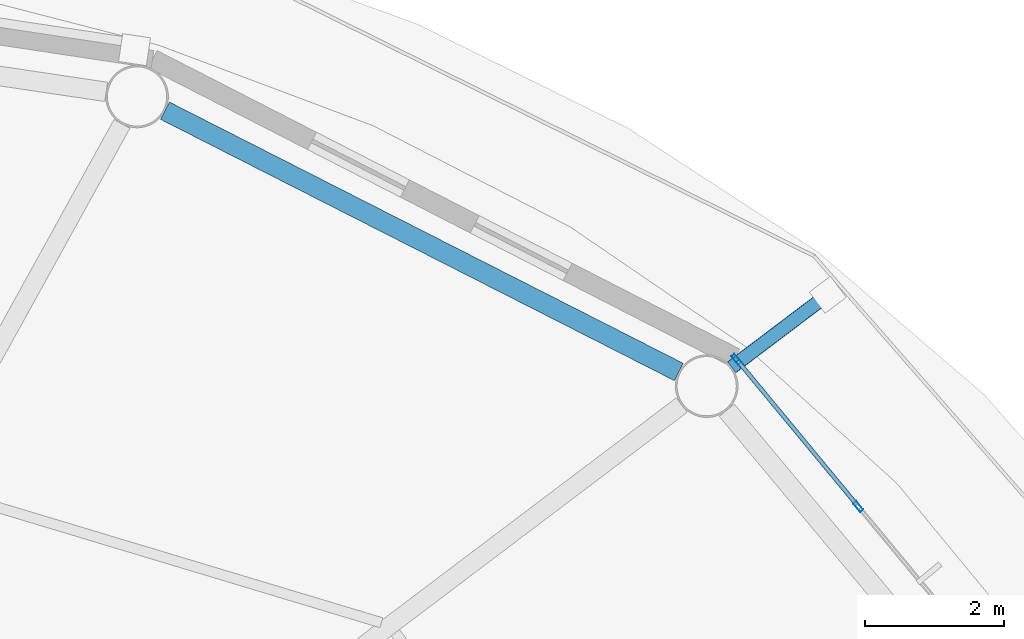
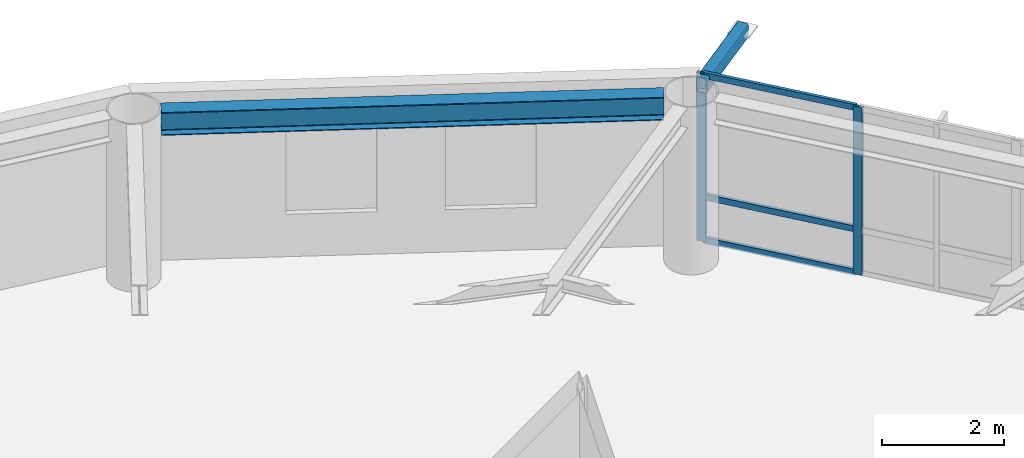
# One storey, part 11 of 21: 6 members, 1 beam, 1 element without a shape of its own.
"""IFC4 building model written with IfcOpenShell, lengths in metres."""

from ifc_helpers import new_model, si_unit, direction, frame, origin, origin_2d, place, context, subcontext, project, spatial, hollow_rectangle, i_section, extrude, material, layer, layer_set, material_profile, profile_set, type_object, element, aggregate, save


model = new_model("IFC4")

# Units and contexts
model_context = context("Model", 3, precision=1e-05, world=origin(), true_north=direction((0.0, 1.0)))
body_context = subcontext(model_context, "Body", "Model", "MODEL_VIEW")
ifc_project = project(units=[si_unit("LENGTHUNIT", "METRE"), si_unit("AREAUNIT", "SQUARE_METRE"), si_unit("VOLUMEUNIT", "CUBIC_METRE"), si_unit("PLANEANGLEUNIT", "RADIAN"), si_unit("MASSUNIT", "GRAM", prefix="KILO")], contexts=[model_context])

# Site, building, storey
site_placement = place(None, origin())
site = spatial("IfcSite", under=ifc_project, at=site_placement, CompositionType="ELEMENT")
building_placement = place(site_placement, origin())
building = spatial("IfcBuilding", under=site, at=building_placement, Name="Sarneth Arch Tower", CompositionType="ELEMENT")
storey_placement = place(building_placement, frame((0.0, 0.0, 309.0)))
storey = spatial("IfcBuildingStorey", under=building, at=storey_placement, Name="L80", CompositionType="ELEMENT", Elevation=309.0)

# Beam
ifc_material_1 = material(Name="Steel S355", Category="steel")
ifc_material_profile_1 = material_profile(ifc_material_1, i_section(OverallWidth=0.280029296875, OverallDepth=0.462890625, WebThickness=0.0107421875, FlangeThickness=0.017333984375, FilletRadius=0.01806640625, at=origin_2d()), Name="W460x113")
ifc_profile_set_1 = profile_set([ifc_material_profile_1], Name="Steel S355")
beam_type = type_object("IfcBeamType", Name="BM-RAD-460A", PredefinedType="BEAM", material=ifc_profile_set_1)
beam_placement = place(storey_placement, frame((65.57421875, 55.780517578125, 3.138427734375), z_axis=(-0.891376248079, 0.453264144138, 0.0), x_axis=(-0.453264144138, -0.891376248079, 0.0)))
element("IfcBeam", 1, at=beam_placement, inside=storey, type_object=beam_type, Name="L80 Perimeter spandrel beam 03", PredefinedType="BEAM", context=body_context, shape_type="SweptSolid", body=[
    extrude(i_section(OverallWidth=0.280029296875, OverallDepth=0.462890625, WebThickness=0.0107421875, FlangeThickness=0.017333984375, FilletRadius=0.01806640625, at=origin_2d()), origin(), (0.0, 0.0, 1.0), 8.281982421875),
])

# Curtain wall, members
ifc_material_2 = material(Name="Anodised aluminium Type AA25 and solar-control low-e laminated IGU", Category="aluminium")
ifc_layer = layer(ifc_material_2, 0.179931640625)
ifc_layer_set = layer_set([ifc_layer], Name="Anodised aluminium Type AA25 and solar-control low-e laminated IGU")
curtain_wall_type = type_object("IfcCurtainWallType", Name="CW-RES-HIGH", PredefinedType="NOTDEFINED", material=ifc_layer_set)
curtain_wall_placement = place(storey_placement, origin())
curtain_wall = element("IfcCurtainWall", 2, at=curtain_wall_placement, inside=storey, type_object=curtain_wall_type, Name="L80 Unitised curtain wall facet 02", PredefinedType="NOTDEFINED")
ifc_material_3 = material(Name="Anodised Aluminium 6063-T6", Category="aluminium")
ifc_material_profile_2 = material_profile(ifc_material_3, hollow_rectangle(XDim=0.06005859375, YDim=0.159912109375, WallThickness=0.00390625, at=origin_2d()), Name="AL-MULL-160x60x4")
ifc_profile_set_2 = profile_set([ifc_material_profile_2], Name="Anodised Aluminium 6063-T6")
member_type_1 = type_object("IfcMemberType", Name="CW-MULLION", PredefinedType="MULLION", material=ifc_profile_set_2)
member_1_placement = place(storey_placement, frame((68.15283203125, 53.84765625, 0.0), z_axis=(0.0, 0.0, 1.0), x_axis=(-0.770359245933, -0.637610094184, 0.0)))
member_1 = element("IfcMember", 3, at=member_1_placement, type_object=member_type_1, Name="CW-SYS-6 mullion 3", PredefinedType="MULLION", context=body_context, shape_type="SweptSolid", body=[
    extrude(hollow_rectangle(XDim=0.06005859375, YDim=0.159912109375, WallThickness=0.00390625, at=origin_2d()), origin(), (0.0, 0.0, 1.0), 3.3701171875),
])
member_2_placement = place(storey_placement, frame((66.401611328125, 55.96337890625, 0.0), z_axis=(0.0, 0.0, 1.0), x_axis=(-0.770359245933, -0.637610094184, 0.0)))
member_2 = element("IfcMember", 4, at=member_2_placement, type_object=member_type_1, Name="CW-SYS-6 mullion 4", PredefinedType="MULLION", context=body_context, shape_type="SweptSolid", body=[
    extrude(hollow_rectangle(XDim=0.06005859375, YDim=0.159912109375, WallThickness=0.00390625, at=origin_2d()), origin(), (0.0, 0.0, 1.0), 3.3701171875),
])
ifc_material_4 = material(Name="Anodised Aluminium 6063-T6", Category="aluminium")
ifc_material_profile_3 = material_profile(ifc_material_4, hollow_rectangle(XDim=0.06005859375, YDim=0.1201171875, WallThickness=0.00390625, at=origin_2d()), Name="AL-TRAN-120x60x4")
ifc_profile_set_3 = profile_set([ifc_material_profile_3], Name="Anodised Aluminium 6063-T6")
member_type_2 = type_object("IfcMemberType", Name="CW-TRANSOM", PredefinedType="USERDEFINED", material=ifc_profile_set_3)
member_3_placement = place(storey_placement, frame((68.1337890625, 53.87060546875, 0.030029296875), z_axis=(-0.637606765719, 0.770362000821, 0.0), x_axis=(-0.770362000821, -0.637606765719, 0.0)))
member_3 = element("IfcMember", 5, at=member_3_placement, type_object=member_type_2, Name="CW-SYS-6 transom 3.1", ObjectType="TRANSOM", PredefinedType="USERDEFINED", context=body_context, shape_type="SweptSolid", body=[
    extrude(hollow_rectangle(XDim=0.06005859375, YDim=0.1201171875, WallThickness=0.00390625, at=origin_2d()), origin(), (0.0, 0.0, 1.0), 2.686767578125),
])
member_4_placement = place(storey_placement, frame((68.1337890625, 53.87060546875, 0.89990234375), z_axis=(-0.637606765719, 0.770362000821, 0.0), x_axis=(-0.770362000821, -0.637606765719, 0.0)))
member_4 = element("IfcMember", 6, at=member_4_placement, type_object=member_type_2, Name="CW-SYS-6 transom 3.2", ObjectType="TRANSOM", PredefinedType="USERDEFINED", context=body_context, shape_type="SweptSolid", body=[
    extrude(hollow_rectangle(XDim=0.06005859375, YDim=0.1201171875, WallThickness=0.00390625, at=origin_2d()), origin(), (0.0, 0.0, 1.0), 2.686767578125),
])
member_5_placement = place(storey_placement, frame((68.1337890625, 53.87060546875, 3.340087890625), z_axis=(-0.637606765719, 0.770362000821, 0.0), x_axis=(-0.770362000821, -0.637606765719, 0.0)))
member_5 = element("IfcMember", 7, at=member_5_placement, type_object=member_type_2, Name="CW-SYS-6 transom 3.3", ObjectType="TRANSOM", PredefinedType="USERDEFINED", context=body_context, shape_type="SweptSolid", body=[
    extrude(hollow_rectangle(XDim=0.06005859375, YDim=0.1201171875, WallThickness=0.00390625, at=origin_2d()), origin(), (0.0, 0.0, 1.0), 2.686767578125),
])
aggregate(curtain_wall, [member_1, member_2, member_3, member_4, member_5])

# Member
ifc_material_5 = material(Name="Steel S355", Category="steel")
ifc_material_profile_4 = material_profile(ifc_material_5, hollow_rectangle(XDim=0.199951171875, YDim=0.300048828125, WallThickness=0.012451171875, InnerFilletRadius=0.018798828125, OuterFilletRadius=0.03125, at=origin_2d()), Name="RHS300x200x12.5")
ifc_profile_set_4 = profile_set([ifc_material_profile_4], Name="Steel S355")
member_type_3 = type_object("IfcMemberType", Name="MEM-CANT-STRUT", PredefinedType="STRUT", material=ifc_profile_set_4)
member_6_placement = place(storey_placement, frame((66.334228515625, 55.84765625, 3.2099609375), z_axis=(0.797962382374, 0.602707255901, 0.0), x_axis=(-0.602707255901, 0.797962382374, 0.0)))
element("IfcMember", 8, at=member_6_placement, inside=storey, type_object=member_type_3, Name="L80 Balcony cantilever bracket 03", PredefinedType="STRUT", context=body_context, shape_type="SweptSolid", body=[
    extrude(hollow_rectangle(XDim=0.199951171875, YDim=0.300048828125, WallThickness=0.012451171875, InnerFilletRadius=0.018798828125, OuterFilletRadius=0.03125, at=origin_2d()), origin(), (0.0, 0.0, 1.0), 1.729248046875),
])

save(model, "model.ifc")
